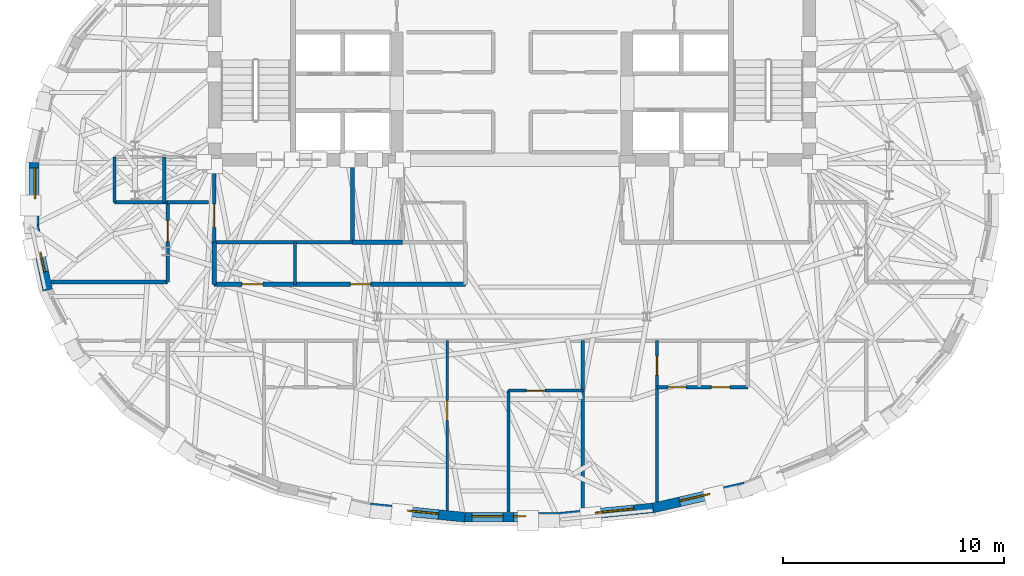
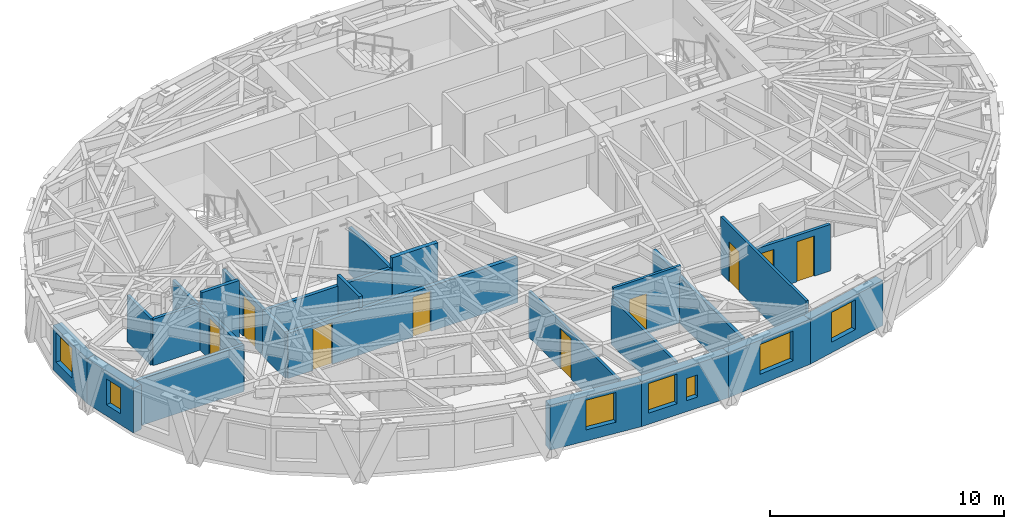
# One storey, part 6 of 13: 25 walls, 9 doors, 7 windows, 16 openings.
"""IFC4 building model written with IfcOpenShell, lengths in metres."""

from ifc_helpers import new_model, si_unit, direction, frame, frame_2d, origin, place, context, subcontext, project, spatial, rectangle, extrude, material, layer, layer_set, type_object, element, fill, save


model = new_model("IFC4")

# Units and contexts
model_context = context("Model", 3, precision=1e-05, world=origin(), true_north=direction((0.0, 1.0)))
body_context = subcontext(model_context, "Body", "Model", "MODEL_VIEW")
ifc_project = project(units=[si_unit("LENGTHUNIT", "METRE"), si_unit("AREAUNIT", "SQUARE_METRE"), si_unit("VOLUMEUNIT", "CUBIC_METRE"), si_unit("PLANEANGLEUNIT", "RADIAN"), si_unit("MASSUNIT", "GRAM", prefix="KILO")], contexts=[model_context])

# Site, building, storey
site_placement = place(None, origin())
site = spatial("IfcSite", under=ifc_project, at=site_placement, CompositionType="ELEMENT")
building_placement = place(site_placement, origin())
building = spatial("IfcBuilding", under=site, at=building_placement, Name="Keldmark Tower", CompositionType="ELEMENT")
storey_placement = place(building_placement, frame((0.0, 0.0, 235.199951171875)))
storey = spatial("IfcBuildingStorey", under=building, at=storey_placement, Name="L66", CompositionType="ELEMENT", Elevation=235.199951171875)

# Wall, openings, doors
ifc_material_1 = material(Name="Heavy Acoustic Plumbing Chase Gypsum Assembly", Category="gypsum")
ifc_layer_1 = layer(ifc_material_1, 0.18994140625)
ifc_layer_set_1 = layer_set([ifc_layer_1], Name="Heavy Acoustic Plumbing Chase Gypsum Assembly")
wall_type_1 = type_object("IfcWallType", Name="Heavy Wet Wall 190 mm", PredefinedType="PLUMBINGWALL", material=ifc_layer_set_1)
wall_1_placement = place(storey_placement, frame((-13.449951171875, -4.050048828125, 0.0), z_axis=(0.0, 0.0, 1.0), x_axis=(1.0, 0.0, 0.0)))
wall_1 = element("IfcWall", 1, at=wall_1_placement, inside=storey, type_object=wall_type_1, Name="L66 Heavy Wet Wall 190 mm SPK-W-S", PredefinedType="PLUMBINGWALL", context=body_context, shape_type="SweptSolid", body=[
    extrude(rectangle(XDim=11.349853515625, YDim=0.18994140625, at=frame_2d((5.6748046875, 0.0))), origin(), (0.0, 0.0, 1.0), 2.35693359375),
])
opening_1_placement = place(wall_1_placement, frame((1.25, 0.0, 0.0)))
opening_1 = element("IfcOpeningElement", 2, at=opening_1_placement, cuts=wall_1, Name="Opening D-AWC95", PredefinedType="OPENING", context=body_context, shape_type="SweptSolid", body=[
    extrude(rectangle(XDim=0.949951171875, YDim=2.14990234375, at=frame_2d((0.47509765625, 1.074951171875))), frame((0.0, 0.10498046875, 0.0), z_axis=(0.0, -1.0, 0.0), x_axis=(1.0, 0.0, 0.0)), (0.0, 0.0, 1.0), 0.2099609375),
])
opening_2_placement = place(wall_1_placement, frame((6.159912109375, 0.0, 0.0)))
opening_2 = element("IfcOpeningElement", 3, at=opening_2_placement, cuts=wall_1, Name="Opening D-IN090", PredefinedType="OPENING", context=body_context, shape_type="SweptSolid", body=[
    extrude(rectangle(XDim=0.89990234375, YDim=2.10009765625, at=frame_2d((0.449951171875, 1.050048828125))), frame((0.0, 0.10498046875, 0.0), z_axis=(0.0, -1.0, 0.0), x_axis=(1.0, 0.0, 0.0)), (0.0, 0.0, 1.0), 0.2099609375),
])
ifc_material_2 = material(Name="Painted Solid-Core Architectural Wood", Category="wood")
door_type_1 = type_object("IfcDoorType", Name="Accessible WC Door 950x2150", OperationType="NOTDEFINED", PredefinedType="DOOR", material=ifc_material_2)
door_1_placement = place(opening_1_placement, origin())
door_1 = element("IfcDoor", 4, at=door_1_placement, inside=storey, type_object=door_type_1, Name="L66 Accessible WC Door 950x2150 D-SPKW1-L66", OperationType="SINGLE_SWING_LEFT", OverallHeight=2.14990234375, OverallWidth=0.949951171875, PredefinedType="DOOR", context=body_context, shape_type="SweptSolid", body=[
    extrude(rectangle(XDim=0.949951171875, YDim=2.14990234375, at=frame_2d((0.47509765625, 1.074951171875))), frame((0.0, 0.02490234375, 0.0), z_axis=(0.0, -1.0, 0.0), x_axis=(1.0, 0.0, 0.0)), (0.0, 0.0, 1.0), 0.050048828125),
])
fill(opening_1, door_1)
ifc_material_3 = material(Name="Stained American White Oak Veneer", Category="wood")
door_type_2 = type_object("IfcDoorType", Name="Interior Door 900x2100", OperationType="NOTDEFINED", PredefinedType="DOOR", material=ifc_material_3)
door_2_placement = place(opening_2_placement, origin())
door_2 = element("IfcDoor", 5, at=door_2_placement, inside=storey, type_object=door_type_2, Name="L66 Interior Door 900x2100 D-SPKW2-L66", OperationType="SINGLE_SWING_RIGHT", OverallHeight=2.10009765625, OverallWidth=0.89990234375, PredefinedType="DOOR", context=body_context, shape_type="SweptSolid", body=[
    extrude(rectangle(XDim=0.89990234375, YDim=2.10009765625, at=frame_2d((0.449951171875, 1.050048828125))), frame((0.0, 0.02490234375, 0.0), z_axis=(0.0, -1.0, 0.0), x_axis=(1.0, 0.0, 0.0)), (0.0, 0.0, 1.0), 0.050048828125),
])
fill(opening_2, door_2)

# Walls
wall_2_placement = place(storey_placement, frame((-13.449951171875, -4.050048828125, 0.0), z_axis=(0.0, 0.0, 1.0), x_axis=(0.0, 1.0, 0.0)))
element("IfcWall", 6, at=wall_2_placement, inside=storey, type_object=wall_type_1, Name="L66 Heavy Wet Wall 190 mm SPK-W-W", PredefinedType="PLUMBINGWALL", context=body_context, shape_type="SweptSolid", body=[
    extrude(rectangle(XDim=1.900146484375, YDim=0.18994140625, at=frame_2d((0.9501953125, 0.0))), origin(), (0.0, 0.0, 1.0), 2.423095703125),
])
ifc_material_4 = material(Name="Acoustic Gypsum Board Interior Partition", Category="gypsum")
ifc_layer_2 = layer(ifc_material_4, 0.1298828125)
ifc_layer_set_2 = layer_set([ifc_layer_2], Name="Acoustic Gypsum Board Interior Partition")
wall_type_2 = type_object("IfcWallType", Name="Interior Partition 130 mm", PredefinedType="PARTITIONING", material=ifc_layer_set_2)
wall_3_placement = place(storey_placement, frame((-0.14990234375, -14.3408203125, 0.0), z_axis=(0.0, 0.0, 1.0), x_axis=(0.0, 1.0, 0.0)))
element("IfcWall", 7, at=wall_3_placement, inside=storey, type_object=wall_type_2, Name="L66 Interior Partition 130 mm UA-BR2-W", PredefinedType="PARTITIONING", context=body_context, shape_type="SweptSolid", body=[
    extrude(rectangle(XDim=5.49072265625, YDim=0.1298828125, at=frame_2d((2.745361328125, 0.0))), origin(), (0.0, 0.0, 1.0), 2.423095703125),
])

# Wall, opening, door
wall_4_placement = place(storey_placement, frame((-0.14990234375, -8.85009765625, 0.0), z_axis=(0.0, 0.0, 1.0), x_axis=(1.0, 0.0, 0.0)))
wall_4 = element("IfcWall", 8, at=wall_4_placement, inside=storey, type_object=wall_type_2, Name="L66 Interior Partition 130 mm UA-BR2-N", PredefinedType="PARTITIONING", context=body_context, shape_type="SweptSolid", body=[
    extrude(rectangle(XDim=3.349853515625, YDim=0.1298828125, at=frame_2d((1.6748046875, 0.0))), origin(), (0.0, 0.0, 1.0), 2.969970703125),
])
opening_3_placement = place(wall_4_placement, frame((0.800048828125, 0.0, 0.0)))
opening_3 = element("IfcOpeningElement", 9, at=opening_3_placement, cuts=wall_4, Name="Opening D-BR085", PredefinedType="OPENING", context=body_context, shape_type="SweptSolid", body=[
    extrude(rectangle(XDim=0.85009765625, YDim=2.10009765625, at=frame_2d((0.425048828125, 1.050048828125))), frame((0.0, 0.074951171875, 0.0), z_axis=(0.0, -1.0, 0.0), x_axis=(1.0, 0.0, 0.0)), (0.0, 0.0, 1.0), 0.14990234375),
])
ifc_material_5 = material(Name="Solid-Core Stained Walnut Wood", Category="wood")
door_type_3 = type_object("IfcDoorType", Name="Bedroom Door 850x2100", OperationType="NOTDEFINED", PredefinedType="DOOR", material=ifc_material_5)
door_3_placement = place(opening_3_placement, origin())
door_3 = element("IfcDoor", 10, at=door_3_placement, inside=storey, type_object=door_type_3, Name="L66 Bedroom Door 850x2100 D-UA-BR2-L66", OperationType="SINGLE_SWING_LEFT", OverallHeight=2.10009765625, OverallWidth=0.85009765625, PredefinedType="DOOR", context=body_context, shape_type="SweptSolid", body=[
    extrude(rectangle(XDim=0.85009765625, YDim=2.10009765625, at=frame_2d((0.425048828125, 1.050048828125))), frame((0.0, 0.02490234375, 0.0), z_axis=(0.0, -1.0, 0.0), x_axis=(1.0, 0.0, 0.0)), (0.0, 0.0, 1.0), 0.050048828125),
])
fill(opening_3, door_3)

wall_5_placement = place(storey_placement, frame((-2.925048828125, -14.26171875, 0.0), z_axis=(0.0, 0.0, 1.0), x_axis=(0.0, 1.0, 0.0)))
wall_5 = element("IfcWall", 11, at=wall_5_placement, inside=storey, type_object=wall_type_2, Name="L66 Interior Partition 130 mm UA-DIN-W", PredefinedType="PARTITIONING", context=body_context, shape_type="SweptSolid", body=[
    extrude(rectangle(XDim=7.66162109375, YDim=0.1298828125, at=frame_2d((3.830810546875, 0.0))), origin(), (0.0, 0.0, 1.0), 2.423095703125),
])
opening_4_placement = place(wall_5_placement, frame((4.061279296875, 0.0, 0.0)))
opening_4 = element("IfcOpeningElement", 12, at=opening_4_placement, cuts=wall_5, Name="Opening D-IN090", PredefinedType="OPENING", context=body_context, shape_type="SweptSolid", body=[
    extrude(rectangle(XDim=0.89990234375, YDim=2.10009765625, at=frame_2d((0.449951171875, 1.050048828125))), frame((0.0, 0.074951171875, 0.0), z_axis=(0.0, -1.0, 0.0), x_axis=(1.0, 0.0, 0.0)), (0.0, 0.0, 1.0), 0.14990234375),
])
door_4_placement = place(opening_4_placement, origin())
door_4 = element("IfcDoor", 13, at=door_4_placement, inside=storey, type_object=door_type_2, Name="L66 Interior Door 900x2100 D-UA-DIN-L66", OperationType="SINGLE_SWING_LEFT", OverallHeight=2.10009765625, OverallWidth=0.89990234375, PredefinedType="DOOR", context=body_context, shape_type="SweptSolid", body=[
    extrude(rectangle(XDim=0.89990234375, YDim=2.10009765625, at=frame_2d((0.449951171875, 1.050048828125))), frame((0.0, 0.02490234375, 0.0), z_axis=(0.0, -1.0, 0.0), x_axis=(1.0, 0.0, 0.0)), (0.0, 0.0, 1.0), 0.050048828125),
])
fill(opening_4, door_4)

wall_6_placement = place(storey_placement, frame((6.550048828125, -13.876708984375, 0.0), z_axis=(0.0, 0.0, 1.0), x_axis=(0.0, 1.0, 0.0)))
wall_6 = element("IfcWall", 14, at=wall_6_placement, inside=storey, type_object=wall_type_2, Name="L66 Interior Partition 130 mm UB-BR1-E", PredefinedType="PARTITIONING", context=body_context, shape_type="SweptSolid", body=[
    extrude(rectangle(XDim=7.276611328125, YDim=0.1298828125, at=frame_2d((3.63818359375, 0.0))), origin(), (0.0, 0.0, 1.0), 2.969970703125),
])
opening_5_placement = place(wall_6_placement, frame((5.726806640625, 0.0, 0.0)))
opening_5 = element("IfcOpeningElement", 15, at=opening_5_placement, cuts=wall_6, Name="Opening D-BR085", PredefinedType="OPENING", context=body_context, shape_type="SweptSolid", body=[
    extrude(rectangle(XDim=0.85009765625, YDim=2.10009765625, at=frame_2d((0.425048828125, 1.050048828125))), frame((0.0, 0.074951171875, 0.0), z_axis=(0.0, -1.0, 0.0), x_axis=(1.0, 0.0, 0.0)), (0.0, 0.0, 1.0), 0.14990234375),
])
door_5_placement = place(opening_5_placement, origin())
door_5 = element("IfcDoor", 16, at=door_5_placement, inside=storey, type_object=door_type_3, Name="L66 Bedroom Door 850x2100 D-UB-BR1-L66", OperationType="SINGLE_SWING_RIGHT", OverallHeight=2.10009765625, OverallWidth=0.85009765625, PredefinedType="DOOR", context=body_context, shape_type="SweptSolid", body=[
    extrude(rectangle(XDim=0.85009765625, YDim=2.10009765625, at=frame_2d((0.425048828125, 1.050048828125))), frame((0.0, 0.02490234375, 0.0), z_axis=(0.0, -1.0, 0.0), x_axis=(1.0, 0.0, 0.0)), (0.0, 0.0, 1.0), 0.050048828125),
])
fill(opening_5, door_5)

# Wall
ifc_material_6 = material(Name="Type X Fire-Rated Gypsum Partition Assembly", Category="gypsum")
ifc_layer_3 = layer(ifc_material_6, 0.1650390625)
ifc_layer_set_3 = layer_set([ifc_layer_3], Name="Type X Fire-Rated Gypsum Partition Assembly")
wall_type_3 = type_object("IfcWallType", Name="Rated Partition 165 mm", PredefinedType="PARTITIONING", material=ifc_layer_set_3)
wall_7_placement = place(storey_placement, frame((-13.449951171875, -2.14990234375, 0.0), z_axis=(0.0, 0.0, 1.0), x_axis=(1.0, 0.0, 0.0)))
element("IfcWall", 17, at=wall_7_placement, inside=storey, type_object=wall_type_3, Name="L66 Rated Partition 165 mm FSAE-W-S", PredefinedType="PARTITIONING", context=body_context, shape_type="SweptSolid", body=[
    extrude(rectangle(XDim=6.25, YDim=0.1650390625, at=frame_2d((3.125, 0.0))), origin(), (0.0, 0.0, 1.0), 2.423095703125),
])

# Wall, opening, door
wall_8_placement = place(storey_placement, frame((-13.449951171875, -2.14990234375, 0.0), z_axis=(0.0, 0.0, 1.0), x_axis=(0.0, 1.0, 0.0)))
wall_8 = element("IfcWall", 18, at=wall_8_placement, inside=storey, type_object=wall_type_3, Name="L66 Rated Partition 165 mm FSAE-W-W", PredefinedType="PARTITIONING", context=body_context, shape_type="SweptSolid", body=[
    extrude(rectangle(XDim=3.5, YDim=0.1650390625, at=frame_2d((1.75, 0.0))), origin(), (0.0, 0.0, 1.0), 2.423095703125),
])
opening_6_placement = place(wall_8_placement, frame((0.669921875, 0.0, 0.0)))
opening_6 = element("IfcOpeningElement", 19, at=opening_6_placement, cuts=wall_8, Name="Opening D-FL105", PredefinedType="OPENING", context=body_context, shape_type="SweptSolid", body=[
    extrude(rectangle(XDim=1.050048828125, YDim=2.14990234375, at=frame_2d((0.52490234375, 1.074951171875))), frame((0.0, 0.092529296875, 0.0), z_axis=(0.0, -1.0, 0.0), x_axis=(1.0, 0.0, 0.0)), (0.0, 0.0, 1.0), 0.18505859375),
])
ifc_material_7 = material(Name="Fire-Rated Mineral-Core Door and Vision Lite", Category="metal")
door_type_4 = type_object("IfcDoorType", Name="Fire Lobby Door 1050x2150", OperationType="NOTDEFINED", PredefinedType="DOOR", material=ifc_material_7)
door_6_placement = place(opening_6_placement, origin())
door_6 = element("IfcDoor", 20, at=door_6_placement, inside=storey, type_object=door_type_4, Name="L66 Fire Lobby Door 1050x2150 D-FSAEW-OUT-L66", OperationType="SINGLE_SWING_RIGHT", OverallHeight=2.14990234375, OverallWidth=1.050048828125, PredefinedType="DOOR", context=body_context, shape_type="SweptSolid", body=[
    extrude(rectangle(XDim=1.050048828125, YDim=2.14990234375, at=frame_2d((0.52490234375, 1.074951171875))), frame((0.0, 0.02490234375, 0.0), z_axis=(0.0, -1.0, 0.0), x_axis=(1.0, 0.0, 0.0)), (0.0, 0.0, 1.0), 0.050048828125),
])
fill(opening_6, door_6)

# Walls
wall_9_placement = place(storey_placement, frame((-7.199951171875, -2.14990234375, 0.0), z_axis=(0.0, 0.0, 1.0), x_axis=(0.0, 1.0, 0.0)))
element("IfcWall", 21, at=wall_9_placement, inside=storey, type_object=wall_type_3, Name="L66 Rated Partition 165 mm FSAE-W-E", PredefinedType="PARTITIONING", context=body_context, shape_type="SweptSolid", body=[
    extrude(rectangle(XDim=3.5, YDim=0.1650390625, at=frame_2d((1.75, 0.0))), origin(), (0.0, 0.0, 1.0), 2.423095703125),
])
wall_10_placement = place(storey_placement, frame((-20.81396484375, -3.949951171875, 0.0), z_axis=(0.0, 0.0, 1.0), x_axis=(1.0, 0.0, 0.0)))
element("IfcWall", 22, at=wall_10_placement, inside=storey, type_object=wall_type_3, Name="L66 Rated Partition 165 mm RCOR-WN-OUT", PredefinedType="PARTITIONING", context=body_context, shape_type="SweptSolid", body=[
    extrude(rectangle(XDim=5.263916015625, YDim=0.1650390625, at=frame_2d((2.6318359375, 0.0))), origin(), (0.0, 0.0, 1.0), 2.423095703125),
])

# Wall, opening, door
wall_11_placement = place(storey_placement, frame((-15.550048828125, -3.949951171875, 0.0), z_axis=(0.0, 0.0, 1.0), x_axis=(0.0, 1.0, 0.0)))
wall_11 = element("IfcWall", 23, at=wall_11_placement, inside=storey, type_object=wall_type_3, Name="L66 Rated Partition 165 mm RCOR-VW", PredefinedType="PARTITIONING", context=body_context, shape_type="SweptSolid", body=[
    extrude(rectangle(XDim=3.599853515625, YDim=0.1650390625, at=frame_2d((1.7998046875, 0.0))), origin(), (0.0, 0.0, 1.0), 2.35693359375),
])
opening_7_placement = place(wall_11_placement, frame((1.830078125, 0.0, 0.0)))
opening_7 = element("IfcOpeningElement", 24, at=opening_7_placement, cuts=wall_11, Name="Opening D-AP095", PredefinedType="OPENING", context=body_context, shape_type="SweptSolid", body=[
    extrude(rectangle(XDim=0.949951171875, YDim=2.14990234375, at=frame_2d((0.47509765625, 1.074951171875))), frame((0.0, 0.092529296875, 0.0), z_axis=(0.0, -1.0, 0.0), x_axis=(1.0, 0.0, 0.0)), (0.0, 0.0, 1.0), 0.18505859375),
])
ifc_material_8 = material(Name="Solid-Core Walnut Fire-Rated Entry Assembly", Category="wood")
door_type_5 = type_object("IfcDoorType", Name="Apartment Entry Door 950x2150", OperationType="NOTDEFINED", PredefinedType="DOOR", material=ifc_material_8)
door_7_placement = place(opening_7_placement, origin())
door_7 = element("IfcDoor", 25, at=door_7_placement, inside=storey, type_object=door_type_5, Name="L66 Apartment Entry Door 950x2150 D-UC-ENT-L66", OperationType="SINGLE_SWING_RIGHT", OverallHeight=2.14990234375, OverallWidth=0.949951171875, PredefinedType="DOOR", context=body_context, shape_type="SweptSolid", body=[
    extrude(rectangle(XDim=0.949951171875, YDim=2.14990234375, at=frame_2d((0.47509765625, 1.074951171875))), frame((0.0, 0.02490234375, 0.0), z_axis=(0.0, -1.0, 0.0), x_axis=(1.0, 0.0, 0.0)), (0.0, 0.0, 1.0), 0.050048828125),
])
fill(opening_7, door_7)

# Walls
wall_12_placement = place(storey_placement, frame((-15.550048828125, -0.35009765625, 0.0), z_axis=(0.0, 0.0, 1.0), x_axis=(1.0, 0.0, 0.0)))
element("IfcWall", 26, at=wall_12_placement, inside=storey, type_object=wall_type_3, Name="L66 Rated Partition 165 mm RCOR-VWN", PredefinedType="PARTITIONING", context=body_context, shape_type="SweptSolid", body=[
    extrude(rectangle(XDim=1.85009765625, YDim=0.1650390625, at=frame_2d((0.925048828125, 0.0))), origin(), (0.0, 0.0, 1.0), 2.969970703125),
])
wall_13_placement = place(storey_placement, frame((3.199951171875, -14.234375, 0.0), z_axis=(0.0, 0.0, 1.0), x_axis=(0.0, 1.0, 0.0)))
element("IfcWall", 27, at=wall_13_placement, inside=storey, type_object=wall_type_3, Name="L66 Rated Partition 165 mm RS-DIV-1", PredefinedType="PARTITIONING", context=body_context, shape_type="SweptSolid", body=[
    extrude(rectangle(XDim=7.63427734375, YDim=0.1650390625, at=frame_2d((3.817138671875, 0.0))), origin(), (0.0, 0.0, 1.0), 2.423095703125),
])
ifc_material_9 = material(Name="Fire-Resistant Type X Gypsum Shaftliner Coreboard", Category="gypsum")
ifc_layer_4 = layer(ifc_material_9, 0.199951171875)
ifc_layer_set_4 = layer_set([ifc_layer_4], Name="Fire-Resistant Type X Gypsum Shaftliner Coreboard")
wall_type_4 = type_object("IfcWallType", Name="Shaft Wall 200 mm", PredefinedType="SOLIDWALL", material=ifc_layer_set_4)
wall_14_placement = place(storey_placement, frame((-7.199951171875, -2.14990234375, 0.0), z_axis=(0.0, 0.0, 1.0), x_axis=(1.0, 0.0, 0.0)))
element("IfcWall", 28, at=wall_14_placement, inside=storey, type_object=wall_type_4, Name="L66 Shaft Wall 200 mm RIS-SW-S", PredefinedType="SOLIDWALL", context=body_context, shape_type="SweptSolid", body=[
    extrude(rectangle(XDim=2.25, YDim=0.199951171875, at=frame_2d((1.125, 0.0))), origin(), (0.0, 0.0, 1.0), 2.969970703125),
])

# Wall, opening, window
ifc_material_10 = material(Name="Ironspot Manganese Brick and Kasota Buff Limestone Spandrel Assembly", Category="masonry")
ifc_layer_5 = layer(ifc_material_10, 0.43994140625)
ifc_layer_set_5 = layer_set([ifc_layer_5], Name="Ironspot Manganese Brick and Kasota Buff Limestone Spandrel Assembly")
wall_type_5 = type_object("IfcWallType", Name="Tower Brick Pier and Spandrel Wall 440 mm", PredefinedType="STANDARD", material=ifc_layer_set_5)
wall_15_placement = place(storey_placement, frame((-21.58935546875, -1.45654296875, 0.0), z_axis=(0.0, 0.0, 1.0), x_axis=(0.0, 1.0, 0.0)))
wall_15 = element("IfcWall", 29, at=wall_15_placement, inside=storey, type_object=wall_type_5, Name="L66 Exterior Brick and Spandrel Wall 16", PredefinedType="STANDARD", context=body_context, shape_type="SweptSolid", body=[
    extrude(rectangle(XDim=2.9130859375, YDim=0.43994140625, at=frame_2d((1.45654296875, 0.0))), origin(), (0.0, 0.0, 1.0), 2.3359375),
])
opening_8_placement = place(wall_15_placement, frame((1.264892578125, 0.0, 0.550048828125)))
opening_8 = element("IfcOpeningElement", 30, at=opening_8_placement, cuts=wall_15, Name="Opening W-08", PredefinedType="OPENING", context=body_context, shape_type="SweptSolid", body=[
    extrude(rectangle(XDim=1.39990234375, YDim=1.550048828125, at=frame_2d((0.699951171875, 0.77490234375))), frame((0.0, 0.22998046875, 0.0), z_axis=(0.0, -1.0, 0.0), x_axis=(1.0, 0.0, 0.0)), (0.0, 0.0, 1.0), 0.4599609375),
])
ifc_material_11 = material(Name="Thermally Broken Anodized Aluminum and Triple Low-E Argon Glazing", Category="aluminium")
window_type_1 = type_object("IfcWindowType", Name="Residential Corner Punched Window 1400x1550", PartitioningType="SINGLE_PANEL", PredefinedType="WINDOW", material=ifc_material_11)
window_1_placement = place(opening_8_placement, origin())
window_1 = element("IfcWindow", 31, at=window_1_placement, inside=storey, type_object=window_type_1, Name="L66 Deep-Set Window 16", OverallHeight=1.550048828125, OverallWidth=1.39990234375, PartitioningType="SINGLE_PANEL", PredefinedType="WINDOW", context=body_context, shape_type="SweptSolid", body=[
    extrude(rectangle(XDim=1.39990234375, YDim=1.550048828125, at=frame_2d((0.699951171875, 0.77490234375))), frame((0.0, -0.010009765625, 0.0), z_axis=(0.0, -1.0, 0.0), x_axis=(1.0, 0.0, 0.0)), (0.0, 0.0, 1.0), 0.06005859375),
])
fill(opening_8, window_1)

wall_16_placement = place(storey_placement, frame((-20.969482421875, -4.311279296875, 0.0), z_axis=(0.0, 0.0, 1.0), x_axis=(-0.210540350534, 0.977585168053, 0.0)))
wall_16 = element("IfcWall", 32, at=wall_16_placement, inside=storey, type_object=wall_type_5, Name="L66 Exterior Brick and Spandrel Wall 17", PredefinedType="STANDARD", context=body_context, shape_type="SweptSolid", body=[
    extrude(rectangle(XDim=2.96728515625, YDim=0.43994140625, at=frame_2d((1.483642578125, 0.0))), origin(), (0.0, 0.0, 1.0), 2.3359375),
])
opening_9_placement = place(wall_16_placement, frame((0.837646484375, 0.0, 0.580078125)))
opening_9 = element("IfcOpeningElement", 33, at=opening_9_placement, cuts=wall_16, Name="Opening W-09", PredefinedType="OPENING", context=body_context, shape_type="SweptSolid", body=[
    extrude(rectangle(XDim=0.89990234375, YDim=1.35009765625, at=frame_2d((0.449951171875, 0.675048828125))), frame((0.0, 0.22998046875, 0.0), z_axis=(0.0, -1.0, 0.0), x_axis=(1.0, 0.0, 0.0)), (0.0, 0.0, 1.0), 0.4599609375),
])
ifc_material_12 = material(Name="Thermally Broken Anodized Aluminum and Triple Low-E Argon Glazing", Category="aluminium")
window_type_2 = type_object("IfcWindowType", Name="Corner Pier Deep-Set Window 900x1350", PartitioningType="SINGLE_PANEL", PredefinedType="WINDOW", material=ifc_material_12)
window_2_placement = place(opening_9_placement, origin())
window_2 = element("IfcWindow", 34, at=window_2_placement, inside=storey, type_object=window_type_2, Name="L66 Deep-Set Window 17", OverallHeight=1.35009765625, OverallWidth=0.89990234375, PartitioningType="SINGLE_PANEL", PredefinedType="WINDOW", context=body_context, shape_type="SweptSolid", body=[
    extrude(rectangle(XDim=0.89990234375, YDim=1.35009765625, at=frame_2d((0.449951171875, 0.675048828125))), frame((0.0, -0.010009765625, 0.0), z_axis=(0.0, -1.0, 0.0), x_axis=(1.0, 0.0, 0.0)), (0.0, 0.0, 1.0), 0.06005859375),
])
fill(opening_9, window_2)

wall_17_placement = place(storey_placement, frame((-2.126220703125, -14.56982421875, 0.0), z_axis=(0.0, 0.0, 1.0), x_axis=(-0.995134540264, 0.098525361068, 0.0)))
wall_17 = element("IfcWall", 35, at=wall_17_placement, inside=storey, type_object=wall_type_5, Name="L66 Exterior Brick and Spandrel Wall 23", PredefinedType="STANDARD", context=body_context, shape_type="SweptSolid", body=[
    extrude(rectangle(XDim=4.29931640625, YDim=0.43994140625, at=frame_2d((2.149658203125, 0.0))), origin(), (0.0, 0.0, 1.0), 2.3359375),
])
opening_10_placement = place(wall_17_placement, frame((1.19970703125, 0.0, 0.580078125)))
opening_10 = element("IfcOpeningElement", 36, at=opening_10_placement, cuts=wall_17, Name="Opening W-08", PredefinedType="OPENING", context=body_context, shape_type="SweptSolid", body=[
    extrude(rectangle(XDim=1.39990234375, YDim=1.550048828125, at=frame_2d((0.699951171875, 0.77490234375))), frame((0.0, 0.22998046875, 0.0), z_axis=(0.0, -1.0, 0.0), x_axis=(1.0, 0.0, 0.0)), (0.0, 0.0, 1.0), 0.4599609375),
])
window_3_placement = place(opening_10_placement, origin())
window_3 = element("IfcWindow", 37, at=window_3_placement, inside=storey, type_object=window_type_1, Name="L66 Deep-Set Window 23", OverallHeight=1.550048828125, OverallWidth=1.39990234375, PartitioningType="SINGLE_PANEL", PredefinedType="WINDOW", context=body_context, shape_type="SweptSolid", body=[
    extrude(rectangle(XDim=1.39990234375, YDim=1.550048828125, at=frame_2d((0.699951171875, 0.77490234375))), frame((0.0, -0.010009765625, 0.0), z_axis=(0.0, -1.0, 0.0), x_axis=(1.0, 0.0, 0.0)), (0.0, 0.0, 1.0), 0.06005859375),
])
fill(opening_10, window_3)

# Wall, openings, windows
wall_18_placement = place(storey_placement, frame((2.14794921875, -14.56884765625, 0.0), z_axis=(0.0, 0.0, 1.0), x_axis=(-1.0, 0.0, 0.0)))
wall_18 = element("IfcWall", 38, at=wall_18_placement, inside=storey, type_object=wall_type_5, Name="L66 Exterior Brick and Spandrel Wall 24", PredefinedType="STANDARD", context=body_context, shape_type="SweptSolid", body=[
    extrude(rectangle(XDim=4.2958984375, YDim=0.43994140625, at=frame_2d((2.14794921875, 0.0))), origin(), (0.0, 0.0, 1.0), 2.3359375),
])
opening_11_placement = place(wall_18_placement, frame((2.546142578125, 0.0, 0.580078125)))
opening_11 = element("IfcOpeningElement", 39, at=opening_11_placement, cuts=wall_18, Name="Opening W-08", PredefinedType="OPENING", context=body_context, shape_type="SweptSolid", body=[
    extrude(rectangle(XDim=1.39990234375, YDim=1.550048828125, at=frame_2d((0.699951171875, 0.77490234375))), frame((0.0, 0.22998046875, 0.0), z_axis=(0.0, -1.0, 0.0), x_axis=(1.0, 0.0, 0.0)), (0.0, 0.0, 1.0), 0.4599609375),
])
opening_12_placement = place(wall_18_placement, frame((1.5224609375, 0.0, 0.580078125)))
opening_12 = element("IfcOpeningElement", 40, at=opening_12_placement, cuts=wall_18, Name="Opening W-10", PredefinedType="OPENING", context=body_context, shape_type="SweptSolid", body=[
    extrude(rectangle(XDim=0.56005859375, YDim=1.14990234375, at=frame_2d((0.280029296875, 0.574951171875))), frame((0.0, 0.22998046875, 0.0), z_axis=(0.0, -1.0, 0.0), x_axis=(1.0, 0.0, 0.0)), (0.0, 0.0, 1.0), 0.4599609375),
])
ifc_material_13 = material(Name="Thermally Broken Anodized Aluminum and Triple Low-E Argon Glazing", Category="aluminium")
window_type_3 = type_object("IfcWindowType", Name="Narrow Pier Lancet Window 560x1150", PartitioningType="SINGLE_PANEL", PredefinedType="WINDOW", material=ifc_material_13)
window_4_placement = place(opening_12_placement, origin())
window_4 = element("IfcWindow", 41, at=window_4_placement, inside=storey, type_object=window_type_3, Name="L66 Pier Window RM01", OverallHeight=1.14990234375, OverallWidth=0.56005859375, PartitioningType="SINGLE_PANEL", PredefinedType="WINDOW", context=body_context, shape_type="SweptSolid", body=[
    extrude(rectangle(XDim=0.56005859375, YDim=1.14990234375, at=frame_2d((0.280029296875, 0.574951171875))), frame((0.0, -0.010009765625, 0.0), z_axis=(0.0, -1.0, 0.0), x_axis=(1.0, 0.0, 0.0)), (0.0, 0.0, 1.0), 0.06005859375),
])
fill(opening_12, window_4)
window_5_placement = place(opening_11_placement, origin())
window_5 = element("IfcWindow", 42, at=window_5_placement, inside=storey, type_object=window_type_1, Name="L66 Deep-Set Window 24", OverallHeight=1.550048828125, OverallWidth=1.39990234375, PartitioningType="SINGLE_PANEL", PredefinedType="WINDOW", context=body_context, shape_type="SweptSolid", body=[
    extrude(rectangle(XDim=1.39990234375, YDim=1.550048828125, at=frame_2d((0.699951171875, 0.77490234375))), frame((0.0, -0.010009765625, 0.0), z_axis=(0.0, -1.0, 0.0), x_axis=(1.0, 0.0, 0.0)), (0.0, 0.0, 1.0), 0.06005859375),
])
fill(opening_11, window_5)

# Wall, opening, window
wall_19_placement = place(storey_placement, frame((6.404541015625, -14.146240234375, 0.0), z_axis=(0.0, 0.0, 1.0), x_axis=(-0.995134540264, -0.098525361068, 0.0)))
wall_19 = element("IfcWall", 43, at=wall_19_placement, inside=storey, type_object=wall_type_5, Name="L66 Exterior Brick and Spandrel Wall 25", PredefinedType="STANDARD", context=body_context, shape_type="SweptSolid", body=[
    extrude(rectangle(XDim=4.29931640625, YDim=0.43994140625, at=frame_2d((2.149658203125, 0.0))), origin(), (0.0, 0.0, 1.0), 2.3359375),
])
opening_13_placement = place(wall_19_placement, frame((0.899658203125, 0.0, 0.550048828125)))
opening_13 = element("IfcOpeningElement", 44, at=opening_13_placement, cuts=wall_19, Name="Opening W-05", PredefinedType="OPENING", context=body_context, shape_type="SweptSolid", body=[
    extrude(rectangle(XDim=1.75, YDim=1.550048828125, at=frame_2d((0.875, 0.77490234375))), frame((0.0, 0.22998046875, 0.0), z_axis=(0.0, -1.0, 0.0), x_axis=(1.0, 0.0, 0.0)), (0.0, 0.0, 1.0), 0.4599609375),
])
ifc_material_14 = material(Name="Thermally Broken Anodized Aluminum and Triple Low-E Argon Glazing", Category="aluminium")
window_type_4 = type_object("IfcWindowType", Name="Residential Deep-Set Window 1750x1550", PartitioningType="DOUBLE_PANEL_VERTICAL", PredefinedType="WINDOW", material=ifc_material_14)
window_6_placement = place(opening_13_placement, origin())
window_6 = element("IfcWindow", 45, at=window_6_placement, inside=storey, type_object=window_type_4, Name="L66 Deep-Set Window 25", OverallHeight=1.550048828125, OverallWidth=1.75, PartitioningType="SINGLE_PANEL", PredefinedType="WINDOW", context=body_context, shape_type="SweptSolid", body=[
    extrude(rectangle(XDim=1.75, YDim=1.550048828125, at=frame_2d((0.875, 0.77490234375))), frame((0.0, -0.010009765625, 0.0), z_axis=(0.0, -1.0, 0.0), x_axis=(1.0, 0.0, 0.0)), (0.0, 0.0, 1.0), 0.06005859375),
])
fill(opening_13, window_6)

wall_20_placement = place(storey_placement, frame((10.520263671875, -13.194580078125, 0.0), z_axis=(0.0, 0.0, 1.0), x_axis=(-0.974398936081, -0.224825962391, 0.0)))
wall_20 = element("IfcWall", 46, at=wall_20_placement, inside=storey, type_object=wall_type_5, Name="L66 Exterior Brick and Spandrel Wall 26", PredefinedType="STANDARD", context=body_context, shape_type="SweptSolid", body=[
    extrude(rectangle(XDim=4.25244140625, YDim=0.43994140625, at=frame_2d((2.126220703125, 0.0))), origin(), (0.0, 0.0, 1.0), 2.3359375),
])
opening_14_placement = place(wall_20_placement, frame((1.622314453125, 0.0, 0.550048828125)))
opening_14 = element("IfcOpeningElement", 47, at=opening_14_placement, cuts=wall_20, Name="Opening W-08", PredefinedType="OPENING", context=body_context, shape_type="SweptSolid", body=[
    extrude(rectangle(XDim=1.39990234375, YDim=1.550048828125, at=frame_2d((0.699951171875, 0.77490234375))), frame((0.0, 0.22998046875, 0.0), z_axis=(0.0, -1.0, 0.0), x_axis=(1.0, 0.0, 0.0)), (0.0, 0.0, 1.0), 0.4599609375),
])
window_7_placement = place(opening_14_placement, origin())
window_7 = element("IfcWindow", 48, at=window_7_placement, inside=storey, type_object=window_type_1, Name="L66 Deep-Set Window 26", OverallHeight=1.550048828125, OverallWidth=1.39990234375, PartitioningType="SINGLE_PANEL", PredefinedType="WINDOW", context=body_context, shape_type="SweptSolid", body=[
    extrude(rectangle(XDim=1.39990234375, YDim=1.550048828125, at=frame_2d((0.699951171875, 0.77490234375))), frame((0.0, -0.010009765625, 0.0), z_axis=(0.0, -1.0, 0.0), x_axis=(1.0, 0.0, 0.0)), (0.0, 0.0, 1.0), 0.06005859375),
])
fill(opening_14, window_7)

# Wall
ifc_material_15 = material(Name="Moisture-Resistant Gypsum Plumbing Partition", Category="gypsum")
ifc_layer_6 = layer(ifc_material_15, 0.14990234375)
ifc_layer_set_6 = layer_set([ifc_layer_6], Name="Moisture-Resistant Gypsum Plumbing Partition")
wall_type_6 = type_object("IfcWallType", Name="Wet Wall 150 mm", PredefinedType="PLUMBINGWALL", material=ifc_layer_set_6)
wall_21_placement = place(storey_placement, frame((-9.800048828125, -4.050048828125, 0.0), z_axis=(0.0, 0.0, 1.0), x_axis=(0.0, 1.0, 0.0)))
element("IfcWall", 49, at=wall_21_placement, inside=storey, type_object=wall_type_6, Name="L66 Wet Wall 150 mm SPK-W-D1", PredefinedType="PLUMBINGWALL", context=body_context, shape_type="SweptSolid", body=[
    extrude(rectangle(XDim=1.900146484375, YDim=0.14990234375, at=frame_2d((0.9501953125, 0.0))), origin(), (0.0, 0.0, 1.0), 2.969970703125),
])

# Wall, openings, doors
wall_22_placement = place(storey_placement, frame((6.550048828125, -8.699951171875, 0.0), z_axis=(0.0, 0.0, 1.0), x_axis=(1.0, 0.0, 0.0)))
wall_22 = element("IfcWall", 50, at=wall_22_placement, inside=storey, type_object=wall_type_6, Name="L66 Wet Wall 150 mm UB-BK-S", PredefinedType="PLUMBINGWALL", context=body_context, shape_type="SweptSolid", body=[
    extrude(rectangle(XDim=4.099853515625, YDim=0.14990234375, at=frame_2d((2.0498046875, 0.0))), origin(), (0.0, 0.0, 1.0), 2.423095703125),
])
opening_15_placement = place(wall_22_placement, frame((0.5, 0.0, 0.0)))
opening_15 = element("IfcOpeningElement", 51, at=opening_15_placement, cuts=wall_22, Name="Opening D-BT080", PredefinedType="OPENING", context=body_context, shape_type="SweptSolid", body=[
    extrude(rectangle(XDim=0.800048828125, YDim=2.10009765625, at=frame_2d((0.39990234375, 1.050048828125))), frame((0.0, 0.0849609375, 0.0), z_axis=(0.0, -1.0, 0.0), x_axis=(1.0, 0.0, 0.0)), (0.0, 0.0, 1.0), 0.169921875),
])
opening_16_placement = place(wall_22_placement, frame((2.449951171875, 0.0, 0.0)))
opening_16 = element("IfcOpeningElement", 52, at=opening_16_placement, cuts=wall_22, Name="Opening D-IN085", PredefinedType="OPENING", context=body_context, shape_type="SweptSolid", body=[
    extrude(rectangle(XDim=0.85009765625, YDim=2.10009765625, at=frame_2d((0.425048828125, 1.050048828125))), frame((0.0, 0.0849609375, 0.0), z_axis=(0.0, -1.0, 0.0), x_axis=(1.0, 0.0, 0.0)), (0.0, 0.0, 1.0), 0.169921875),
])
ifc_material_16 = material(Name="Moisture-Sealed Stained Wood", Category="wood")
door_type_6 = type_object("IfcDoorType", Name="Bathroom Door 800x2100", OperationType="NOTDEFINED", PredefinedType="DOOR", material=ifc_material_16)
door_8_placement = place(opening_15_placement, origin())
door_8 = element("IfcDoor", 53, at=door_8_placement, inside=storey, type_object=door_type_6, Name="L66 Bathroom Door 800x2100 D-UB-BATH-L66", OperationType="SINGLE_SWING_LEFT", OverallHeight=2.10009765625, OverallWidth=0.800048828125, PredefinedType="DOOR", context=body_context, shape_type="SweptSolid", body=[
    extrude(rectangle(XDim=0.800048828125, YDim=2.10009765625, at=frame_2d((0.39990234375, 1.050048828125))), frame((0.0, 0.02490234375, 0.0), z_axis=(0.0, -1.0, 0.0), x_axis=(1.0, 0.0, 0.0)), (0.0, 0.0, 1.0), 0.050048828125),
])
fill(opening_15, door_8)
ifc_material_17 = material(Name="Painted Architectural Wood", Category="wood")
door_type_7 = type_object("IfcDoorType", Name="Interior Door 850x2100", OperationType="NOTDEFINED", PredefinedType="DOOR", material=ifc_material_17)
door_9_placement = place(opening_16_placement, origin())
door_9 = element("IfcDoor", 54, at=door_9_placement, inside=storey, type_object=door_type_7, Name="L66 Interior Door 850x2100 D-UB-KIT-L66", OperationType="SINGLE_SWING_RIGHT", OverallHeight=2.10009765625, OverallWidth=0.85009765625, PredefinedType="DOOR", context=body_context, shape_type="SweptSolid", body=[
    extrude(rectangle(XDim=0.85009765625, YDim=2.10009765625, at=frame_2d((0.425048828125, 1.050048828125))), frame((0.0, 0.02490234375, 0.0), z_axis=(0.0, -1.0, 0.0), x_axis=(1.0, 0.0, 0.0)), (0.0, 0.0, 1.0), 0.050048828125),
])
fill(opening_16, door_9)

# Walls
wall_23_placement = place(storey_placement, frame((-17.949951171875, -0.35009765625, 0.0), z_axis=(0.0, 0.0, 1.0), x_axis=(1.0, 0.0, 0.0)))
element("IfcWall", 55, at=wall_23_placement, inside=storey, type_object=wall_type_6, Name="L66 Wet Wall 150 mm UC-BK-S", PredefinedType="PLUMBINGWALL", context=body_context, shape_type="SweptSolid", body=[
    extrude(rectangle(XDim=2.39990234375, YDim=0.14990234375, at=frame_2d((1.199951171875, 0.0))), origin(), (0.0, 0.0, 1.0), 2.423095703125),
])
for number, where, z_axis, x_axis, name in (
    (56, (-15.699951171875, -0.35009765625, 0.0), (0.0, 0.0, 1.0), (0.0, 1.0, 0.0), "L66 Wet Wall 150 mm UC-BK-M"),
    (57, (-17.949951171875, -0.35009765625, 0.0), (0.0, 0.0, 1.0), (0.0, 1.0, 0.0), "L66 Wet Wall 150 mm UC-BK-OUT"),
):
    element("IfcWall", number, at=place(storey_placement, frame(where, z_axis=z_axis, x_axis=x_axis)), inside=storey, type_object=wall_type_6, Name=name, PredefinedType="PLUMBINGWALL", context=body_context, shape_type="SweptSolid", body=[
        extrude(rectangle(XDim=2.050048828125, YDim=0.14990234375, at=frame_2d((1.02490234375, 0.0))), origin(), (0.0, 0.0, 1.0), 2.423095703125),
    ])

save(model, "model.ifc")
